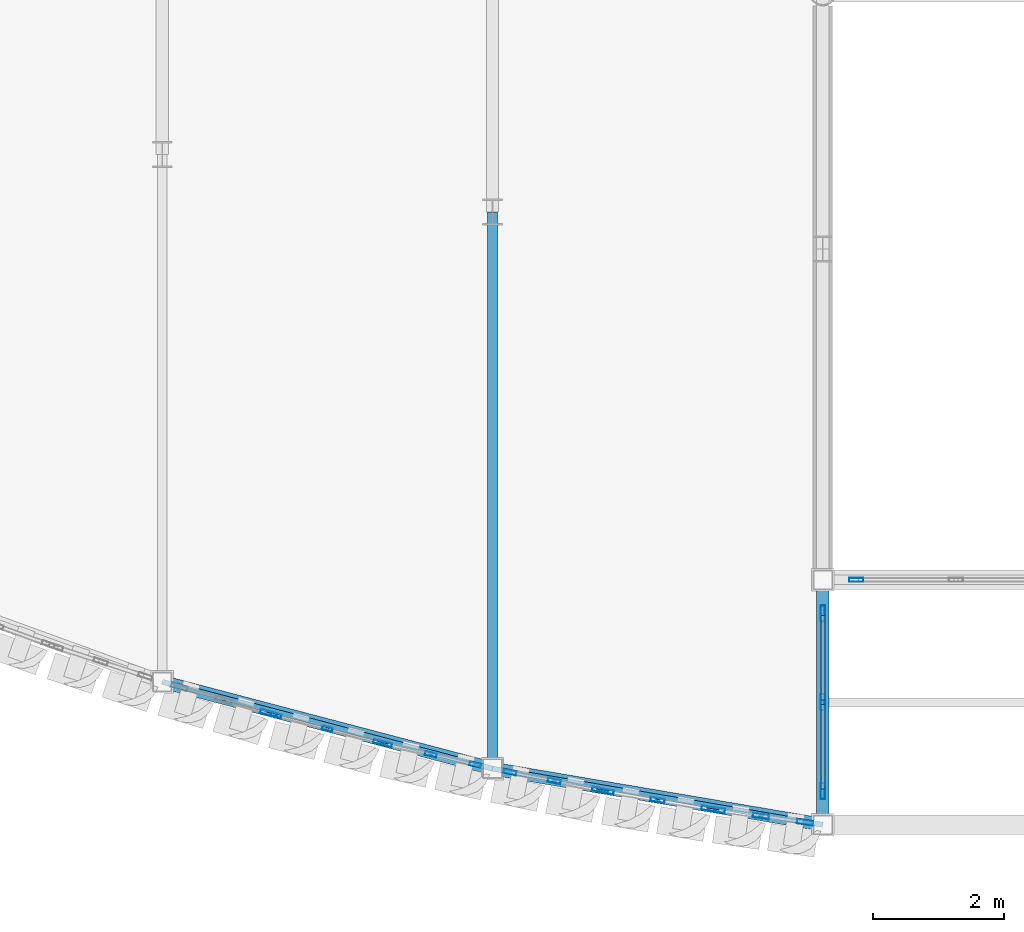
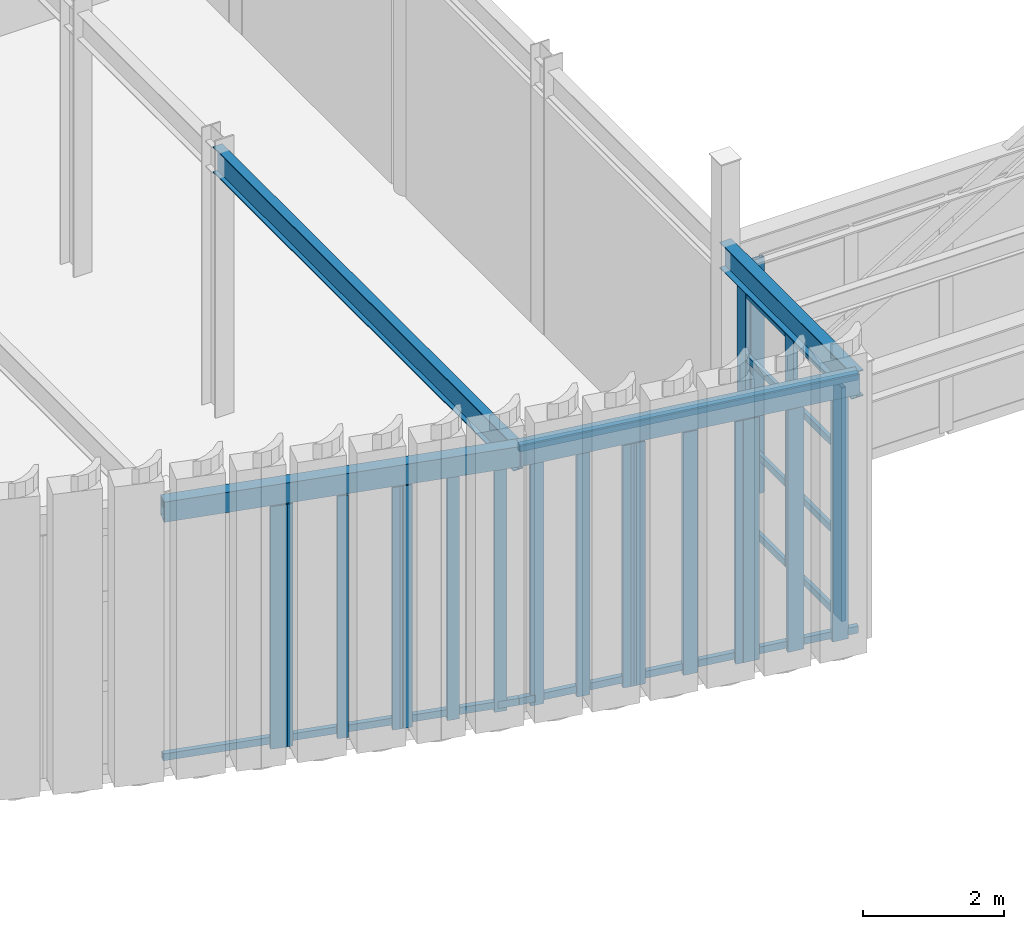
# One storey, part 41 of 126: 32 members, 4 beams, 8 elements without a shape of their own.
"""IFC4 building model written with IfcOpenShell, lengths in metres."""

from ifc_helpers import new_model, si_unit, direction, frame, origin, origin_2d, place, context, subcontext, project, spatial, hollow_rectangle, i_section, extrude, material, layer, layer_set, material_profile, profile_set, type_object, element, aggregate, save


model = new_model("IFC4")

# Units and contexts
model_context = context("Model", 3, precision=1e-05, world=origin(), true_north=direction((0.0, 1.0)))
body_context = subcontext(model_context, "Body", "Model", "MODEL_VIEW")
ifc_project = project(units=[si_unit("LENGTHUNIT", "METRE"), si_unit("AREAUNIT", "SQUARE_METRE"), si_unit("VOLUMEUNIT", "CUBIC_METRE"), si_unit("PLANEANGLEUNIT", "RADIAN"), si_unit("MASSUNIT", "GRAM", prefix="KILO")], contexts=[model_context])

# Site, building, storey
site_placement = place(None, origin())
site = spatial("IfcSite", under=ifc_project, at=site_placement, CompositionType="ELEMENT")
building_placement = place(site_placement, origin())
building = spatial("IfcBuilding", under=site, at=building_placement, Name="Solvadek Multi-Sports Hall", CompositionType="ELEMENT")
storey_placement = place(building_placement, frame((0.0, 0.0, 9.60009765625)))
storey = spatial("IfcBuildingStorey", under=building, at=storey_placement, Name="L02", CompositionType="ELEMENT", Elevation=9.60009765625)

# Curtain wall, members
ifc_material_1 = material(Name="Anodised aluminium", Category="aluminium")
ifc_layer_1 = layer(ifc_material_1, 0.159912109375, Name="Anodised aluminium")
ifc_layer_set_1 = layer_set([ifc_layer_1], Name="Anodised aluminium")
curtain_wall_type_1 = type_object("IfcCurtainWallType", Name="ENV-CW-168X420", PredefinedType="USERDEFINED", material=ifc_layer_set_1)
curtain_wall_1_placement = place(storey_placement, origin())
curtain_wall_1 = element("IfcCurtainWall", 1, at=curtain_wall_1_placement, inside=storey, type_object=curtain_wall_type_1, Name="L02 Crescent Curved Curtain Wall #46", ObjectType="CURTAIN WALL", PredefinedType="USERDEFINED")
ifc_material_profile_1 = material_profile(ifc_material_1, hollow_rectangle(XDim=0.06005859375, YDim=0.159912109375, WallThickness=0.00390625, at=origin_2d()), Name="ALU-M 160x60x4")
ifc_profile_set_1 = profile_set([ifc_material_profile_1], Name="Anodised aluminium")
member_type_1 = type_object("IfcMemberType", Name="ENV-CWM-01", PredefinedType="MULLION", material=ifc_profile_set_1)
member_1_placement = place(storey_placement, frame((63.623779296875, -11.075927734375, 0.0), z_axis=(0.0, 0.0, 1.0), x_axis=(0.254142545895, 0.967166772778, 0.0)))
member_1 = element("IfcMember", 2, at=member_1_placement, type_object=member_type_1, Name="CW-22 mullion 1", PredefinedType="MULLION", context=body_context, shape_type="SweptSolid", body=[
    extrude(hollow_rectangle(XDim=0.06005859375, YDim=0.159912109375, WallThickness=0.00390625, at=origin_2d()), origin(), (0.0, 0.0, 1.0), 4.199951171875),
])
member_2_placement = place(storey_placement, frame((64.4091796875, -11.282470703125, 0.0), z_axis=(0.0, 0.0, 1.0), x_axis=(0.254142545895, 0.967166772778, 0.0)))
member_2 = element("IfcMember", 3, at=member_2_placement, type_object=member_type_1, Name="CW-22 mullion 2", PredefinedType="MULLION", context=body_context, shape_type="SweptSolid", body=[
    extrude(hollow_rectangle(XDim=0.06005859375, YDim=0.159912109375, WallThickness=0.00390625, at=origin_2d()), origin(), (0.0, 0.0, 1.0), 4.199951171875),
])
member_3_placement = place(storey_placement, frame((65.194580078125, -11.48876953125, 0.0), z_axis=(0.0, 0.0, 1.0), x_axis=(0.254142545895, 0.967166772778, 0.0)))
member_3 = element("IfcMember", 4, at=member_3_placement, type_object=member_type_1, Name="CW-22 mullion 3", PredefinedType="MULLION", context=body_context, shape_type="SweptSolid", body=[
    extrude(hollow_rectangle(XDim=0.06005859375, YDim=0.159912109375, WallThickness=0.00390625, at=origin_2d()), origin(), (0.0, 0.0, 1.0), 4.199951171875),
])
aggregate(curtain_wall_1, [member_1, member_2, member_3])

ifc_layer_2 = layer(ifc_material_1, 0.159912109375, Name="Anodised aluminium")
ifc_layer_set_2 = layer_set([ifc_layer_2], Name="Anodised aluminium")
curtain_wall_type_2 = type_object("IfcCurtainWallType", Name="ENV-CW-146X420", PredefinedType="USERDEFINED", material=ifc_layer_set_2)
curtain_wall_2_placement = place(storey_placement, origin())
curtain_wall_2 = element("IfcCurtainWall", 5, at=curtain_wall_2_placement, inside=storey, type_object=curtain_wall_type_2, Name="L02 Crescent Curved Curtain Wall #48", ObjectType="CURTAIN WALL", PredefinedType="USERDEFINED")
ifc_material_profile_2 = material_profile(ifc_material_1, hollow_rectangle(XDim=0.06005859375, YDim=0.179931640625, WallThickness=0.00390625, at=origin_2d()), Name="ALU-M 180x60x4")
ifc_profile_set_2 = profile_set([ifc_material_profile_2], Name="Anodised aluminium")
member_type_2 = type_object("IfcMemberType", Name="ENV-CWM-02", PredefinedType="MULLION", material=ifc_profile_set_2)
member_4_placement = place(storey_placement, frame((65.31103515625, -11.517578125, 0.0), z_axis=(0.0, 0.0, 1.0), x_axis=(0.225189321569, 0.974315025775, 0.0)))
member_4 = element("IfcMember", 6, at=member_4_placement, type_object=member_type_2, Name="CW-23 mullion 1", PredefinedType="MULLION", context=body_context, shape_type="SweptSolid", body=[
    extrude(hollow_rectangle(XDim=0.06005859375, YDim=0.179931640625, WallThickness=0.00390625, at=origin_2d()), origin(), (0.0, 0.0, 1.0), 4.199951171875),
])
member_5_placement = place(storey_placement, frame((65.99365234375, -11.67529296875, 0.0), z_axis=(0.0, 0.0, 1.0), x_axis=(0.225189321569, 0.974315025775, 0.0)))
member_5 = element("IfcMember", 7, at=member_5_placement, type_object=member_type_2, Name="CW-23 mullion 2", PredefinedType="MULLION", context=body_context, shape_type="SweptSolid", body=[
    extrude(hollow_rectangle(XDim=0.06005859375, YDim=0.179931640625, WallThickness=0.00390625, at=origin_2d()), origin(), (0.0, 0.0, 1.0), 4.199951171875),
])
member_6_placement = place(storey_placement, frame((66.67626953125, -11.833251953125, 0.0), z_axis=(0.0, 0.0, 1.0), x_axis=(0.225189321569, 0.974315025775, 0.0)))
member_6 = element("IfcMember", 8, at=member_6_placement, type_object=member_type_2, Name="CW-23 mullion 3", PredefinedType="MULLION", context=body_context, shape_type="SweptSolid", body=[
    extrude(hollow_rectangle(XDim=0.06005859375, YDim=0.179931640625, WallThickness=0.00390625, at=origin_2d()), origin(), (0.0, 0.0, 1.0), 4.199951171875),
])
aggregate(curtain_wall_2, [member_4, member_5, member_6])

ifc_layer_3 = layer(ifc_material_1, 0.159912109375, Name="Anodised aluminium")
ifc_layer_set_3 = layer_set([ifc_layer_3], Name="Anodised aluminium")
curtain_wall_type_3 = type_object("IfcCurtainWallType", Name="ENV-CW-145X420", PredefinedType="USERDEFINED", material=ifc_layer_set_3)
curtain_wall_3_placement = place(storey_placement, origin())
curtain_wall_3 = element("IfcCurtainWall", 9, at=curtain_wall_3_placement, inside=storey, type_object=curtain_wall_type_3, Name="L02 Crescent Curved Curtain Wall #50", ObjectType="CURTAIN WALL", PredefinedType="USERDEFINED")
ifc_material_profile_3 = material_profile(ifc_material_1, hollow_rectangle(XDim=0.06494140625, YDim=0.199951171875, WallThickness=0.0048828125, at=origin_2d()), Name="ALU-M 200x65x5")
ifc_profile_set_3 = profile_set([ifc_material_profile_3], Name="Anodised aluminium")
member_type_3 = type_object("IfcMemberType", Name="ENV-CWM-03", PredefinedType="MULLION", material=ifc_profile_set_3)
member_7_placement = place(storey_placement, frame((67.20654296875, -11.947265625, 0.0), z_axis=(0.0, 0.0, 1.0), x_axis=(0.196155912432, 0.980572719393, 0.0)))
member_7 = element("IfcMember", 10, at=member_7_placement, type_object=member_type_3, Name="CW-24 mullion 1", PredefinedType="MULLION", context=body_context, shape_type="SweptSolid", body=[
    extrude(hollow_rectangle(XDim=0.06494140625, YDim=0.199951171875, WallThickness=0.0048828125, at=origin_2d()), origin(), (0.0, 0.0, 1.0), 4.199951171875),
])
member_8_placement = place(storey_placement, frame((67.8857421875, -12.083251953125, 0.0), z_axis=(0.0, 0.0, 1.0), x_axis=(0.196155912432, 0.980572719393, 0.0)))
member_8 = element("IfcMember", 11, at=member_8_placement, type_object=member_type_3, Name="CW-24 mullion 2", PredefinedType="MULLION", context=body_context, shape_type="SweptSolid", body=[
    extrude(hollow_rectangle(XDim=0.06494140625, YDim=0.199951171875, WallThickness=0.0048828125, at=origin_2d()), origin(), (0.0, 0.0, 1.0), 4.199951171875),
])
member_9_placement = place(storey_placement, frame((68.56494140625, -12.21923828125, 0.0), z_axis=(0.0, 0.0, 1.0), x_axis=(0.196155912432, 0.980572719393, 0.0)))
member_9 = element("IfcMember", 12, at=member_9_placement, type_object=member_type_3, Name="CW-24 mullion 3", PredefinedType="MULLION", context=body_context, shape_type="SweptSolid", body=[
    extrude(hollow_rectangle(XDim=0.06494140625, YDim=0.199951171875, WallThickness=0.0048828125, at=origin_2d()), origin(), (0.0, 0.0, 1.0), 4.199951171875),
])
aggregate(curtain_wall_3, [member_7, member_8, member_9])

ifc_layer_4 = layer(ifc_material_1, 0.159912109375, Name="Anodised aluminium")
ifc_layer_set_4 = layer_set([ifc_layer_4], Name="Anodised aluminium")
curtain_wall_type_4 = type_object("IfcCurtainWallType", Name="ENV-CW-165X420", PredefinedType="USERDEFINED", material=ifc_layer_set_4)
curtain_wall_4_placement = place(storey_placement, origin())
curtain_wall_4 = element("IfcCurtainWall", 13, at=curtain_wall_4_placement, inside=storey, type_object=curtain_wall_type_4, Name="L02 Crescent Curved Curtain Wall #52", ObjectType="CURTAIN WALL", PredefinedType="USERDEFINED")
ifc_material_profile_4 = material_profile(ifc_material_1, hollow_rectangle(XDim=0.06494140625, YDim=0.219970703125, WallThickness=0.0048828125, at=origin_2d()), Name="ALU-M 220x65x5")
ifc_profile_set_4 = profile_set([ifc_material_profile_4], Name="Anodised aluminium")
member_type_4 = type_object("IfcMemberType", Name="ENV-CWM-04", PredefinedType="MULLION", material=ifc_profile_set_4)
member_10_placement = place(storey_placement, frame((68.68798828125, -12.241943359375, 0.0), z_axis=(0.0, 0.0, 1.0), x_axis=(0.167246953314, 0.985915035187, 0.0)))
member_10 = element("IfcMember", 14, at=member_10_placement, type_object=member_type_4, Name="CW-25 mullion 1", PredefinedType="MULLION", context=body_context, shape_type="SweptSolid", body=[
    extrude(hollow_rectangle(XDim=0.06494140625, YDim=0.219970703125, WallThickness=0.0048828125, at=origin_2d()), origin(), (0.0, 0.0, 1.0), 4.199951171875),
])
member_11_placement = place(storey_placement, frame((69.4697265625, -12.37451171875, 0.0), z_axis=(0.0, 0.0, 1.0), x_axis=(0.167246953314, 0.985915035187, 0.0)))
member_11 = element("IfcMember", 15, at=member_11_placement, type_object=member_type_4, Name="CW-25 mullion 2", PredefinedType="MULLION", context=body_context, shape_type="SweptSolid", body=[
    extrude(hollow_rectangle(XDim=0.06494140625, YDim=0.219970703125, WallThickness=0.0048828125, at=origin_2d()), origin(), (0.0, 0.0, 1.0), 4.199951171875),
])
member_12_placement = place(storey_placement, frame((70.25146484375, -12.507080078125, 0.0), z_axis=(0.0, 0.0, 1.0), x_axis=(0.167246953314, 0.985915035187, 0.0)))
member_12 = element("IfcMember", 16, at=member_12_placement, type_object=member_type_4, Name="CW-25 mullion 3", PredefinedType="MULLION", context=body_context, shape_type="SweptSolid", body=[
    extrude(hollow_rectangle(XDim=0.06494140625, YDim=0.219970703125, WallThickness=0.0048828125, at=origin_2d()), origin(), (0.0, 0.0, 1.0), 4.199951171875),
])
aggregate(curtain_wall_4, [member_10, member_11, member_12])

# Curtain wall, member
ifc_layer_5 = layer(ifc_material_1, 0.159912109375, Name="Anodised aluminium")
ifc_layer_set_5 = layer_set([ifc_layer_5], Name="Anodised aluminium")
curtain_wall_type_5 = type_object("IfcCurtainWallType", Name="ENV-CW-624X408", PredefinedType="USERDEFINED", material=ifc_layer_set_5)
curtain_wall_5_placement = place(storey_placement, origin())
curtain_wall_5 = element("IfcCurtainWall", 17, at=curtain_wall_5_placement, inside=storey, type_object=curtain_wall_type_5, Name="L02 Perimeter Bay Curtain Wall #117", ObjectType="CURTAIN WALL", PredefinedType="USERDEFINED")
member_13_placement = place(storey_placement, frame((72.512451171875, -9.0, 0.0), z_axis=(0.0, 0.0, 1.0), x_axis=(0.0, 1.0, 0.0)))
member_13 = element("IfcMember", 18, at=member_13_placement, type_object=member_type_4, Name="CW-40 mullion 1", PredefinedType="MULLION", context=body_context, shape_type="SweptSolid", body=[
    extrude(hollow_rectangle(XDim=0.06494140625, YDim=0.219970703125, WallThickness=0.0048828125, at=origin_2d()), origin(), (0.0, 0.0, 1.0), 4.074951171875),
])
aggregate(curtain_wall_5, [member_13])

ifc_layer_6 = layer(ifc_material_1, 0.159912109375, Name="Anodised aluminium")
ifc_layer_set_6 = layer_set([ifc_layer_6], Name="Anodised aluminium")
curtain_wall_type_6 = type_object("IfcCurtainWallType", Name="ENV-CW-149X420", PredefinedType="USERDEFINED", material=ifc_layer_set_6)
curtain_wall_6_placement = place(storey_placement, origin())
curtain_wall_6 = element("IfcCurtainWall", 19, at=curtain_wall_6_placement, inside=storey, type_object=curtain_wall_type_6, Name="L02 Crescent Curved Curtain Wall #44", ObjectType="CURTAIN WALL", PredefinedType="USERDEFINED")
ifc_material_profile_5 = material_profile(ifc_material_1, hollow_rectangle(XDim=0.070068359375, YDim=0.25, WallThickness=0.0048828125, at=origin_2d()), Name="ALU-M 250x70x5")
ifc_profile_set_5 = profile_set([ifc_material_profile_5], Name="Anodised aluminium")
member_type_5 = type_object("IfcMemberType", Name="ENV-CWM-05", PredefinedType="MULLION", material=ifc_profile_set_5)
member_14_placement = place(storey_placement, frame((63.50341796875, -11.04248046875, 0.0), z_axis=(0.0, 0.0, 1.0), x_axis=(0.283173450223, 0.959068713434, 0.0)))
member_14 = element("IfcMember", 20, at=member_14_placement, type_object=member_type_5, Name="CW-21 mullion 3", PredefinedType="MULLION", context=body_context, shape_type="SweptSolid", body=[
    extrude(hollow_rectangle(XDim=0.070068359375, YDim=0.25, WallThickness=0.0048828125, at=origin_2d()), origin(), (0.0, 0.0, 1.0), 4.199951171875),
])
aggregate(curtain_wall_6, [member_14])

# Curtain wall, members
ifc_layer_7 = layer(ifc_material_1, 0.159912109375, Name="Anodised aluminium")
ifc_layer_set_7 = layer_set([ifc_layer_7], Name="Anodised aluminium")
curtain_wall_type_7 = type_object("IfcCurtainWallType", Name="ENV-CW-143X420", PredefinedType="USERDEFINED", material=ifc_layer_set_7)
curtain_wall_7_placement = place(storey_placement, origin())
curtain_wall_7 = element("IfcCurtainWall", 21, at=curtain_wall_7_placement, inside=storey, type_object=curtain_wall_type_7, Name="L02 Crescent Curved Curtain Wall #54", ObjectType="CURTAIN WALL", PredefinedType="USERDEFINED")
member_15_placement = place(storey_placement, frame((70.37744140625, -12.5263671875, 0.0), z_axis=(0.0, 0.0, 1.0), x_axis=(0.138216722642, 0.990402008066, 0.0)))
member_15 = element("IfcMember", 22, at=member_15_placement, type_object=member_type_5, Name="CW-26 mullion 1", PredefinedType="MULLION", context=body_context, shape_type="SweptSolid", body=[
    extrude(hollow_rectangle(XDim=0.070068359375, YDim=0.25, WallThickness=0.0048828125, at=origin_2d()), origin(), (0.0, 0.0, 1.0), 4.199951171875),
])
member_16_placement = place(storey_placement, frame((71.052490234375, -12.62060546875, 0.0), z_axis=(0.0, 0.0, 1.0), x_axis=(0.138216722642, 0.990402008066, 0.0)))
member_16 = element("IfcMember", 23, at=member_16_placement, type_object=member_type_5, Name="CW-26 mullion 2", PredefinedType="MULLION", context=body_context, shape_type="SweptSolid", body=[
    extrude(hollow_rectangle(XDim=0.070068359375, YDim=0.25, WallThickness=0.0048828125, at=origin_2d()), origin(), (0.0, 0.0, 1.0), 4.199951171875),
])
member_17_placement = place(storey_placement, frame((71.7275390625, -12.71484375, 0.0), z_axis=(0.0, 0.0, 1.0), x_axis=(0.138216722642, 0.990402008066, 0.0)))
member_17 = element("IfcMember", 24, at=member_17_placement, type_object=member_type_5, Name="CW-26 mullion 3", PredefinedType="MULLION", context=body_context, shape_type="SweptSolid", body=[
    extrude(hollow_rectangle(XDim=0.070068359375, YDim=0.25, WallThickness=0.0048828125, at=origin_2d()), origin(), (0.0, 0.0, 1.0), 4.199951171875),
])
aggregate(curtain_wall_7, [member_15, member_16, member_17])

ifc_layer_8 = layer(ifc_material_1, 0.159912109375, Name="Anodised aluminium")
ifc_layer_set_8 = layer_set([ifc_layer_8], Name="Anodised aluminium")
curtain_wall_type_8 = type_object("IfcCurtainWallType", Name="ENV-CW-279X405", PredefinedType="USERDEFINED", material=ifc_layer_set_8)
curtain_wall_8_placement = place(storey_placement, origin())
curtain_wall_8 = element("IfcCurtainWall", 25, at=curtain_wall_8_placement, inside=storey, type_object=curtain_wall_type_8, Name="L02 Perimeter Bay Curtain Wall #121", ObjectType="CURTAIN WALL", PredefinedType="USERDEFINED")
member_18_placement = place(storey_placement, frame((72.0, -12.23779296875, 0.0), z_axis=(0.0, 0.0, 1.0), x_axis=(-1.0, 0.0, 0.0)))
member_18 = element("IfcMember", 26, at=member_18_placement, type_object=member_type_5, Name="CW-42 mullion 1", PredefinedType="MULLION", context=body_context, shape_type="SweptSolid", body=[
    extrude(hollow_rectangle(XDim=0.070068359375, YDim=0.25, WallThickness=0.0048828125, at=origin_2d()), origin(), (0.0, 0.0, 1.0), 4.0498046875),
])
member_19_placement = place(storey_placement, frame((72.0, -10.87646484375, 0.0), z_axis=(0.0, 0.0, 1.0), x_axis=(-1.0, 0.0, 0.0)))
member_19 = element("IfcMember", 27, at=member_19_placement, type_object=member_type_5, Name="CW-42 mullion 2", PredefinedType="MULLION", context=body_context, shape_type="SweptSolid", body=[
    extrude(hollow_rectangle(XDim=0.070068359375, YDim=0.25, WallThickness=0.0048828125, at=origin_2d()), origin(), (0.0, 0.0, 1.0), 4.0498046875),
])
member_20_placement = place(storey_placement, frame((72.0, -9.514892578125, 0.0), z_axis=(0.0, 0.0, 1.0), x_axis=(-1.0, 0.0, 0.0)))
member_20 = element("IfcMember", 28, at=member_20_placement, type_object=member_type_5, Name="CW-42 mullion 3", PredefinedType="MULLION", context=body_context, shape_type="SweptSolid", body=[
    extrude(hollow_rectangle(XDim=0.070068359375, YDim=0.25, WallThickness=0.0048828125, at=origin_2d()), origin(), (0.0, 0.0, 1.0), 4.0498046875),
])
ifc_material_profile_6 = material_profile(ifc_material_1, hollow_rectangle(XDim=0.06005859375, YDim=0.1201171875, WallThickness=0.00390625, at=origin_2d()), Name="ALU-T 120x60x4")
ifc_profile_set_6 = profile_set([ifc_material_profile_6], Name="Anodised aluminium")
member_type_6 = type_object("IfcMemberType", Name="ENV-CWT-01", PredefinedType="USERDEFINED", material=ifc_profile_set_6)
member_21_placement = place(storey_placement, frame((72.0, -12.202880859375, 0.02978515625), z_axis=(0.0, 1.0, 0.0), x_axis=(-1.0, 0.0, 0.0)))
member_21 = element("IfcMember", 29, at=member_21_placement, type_object=member_type_6, Name="CW-42 transom 1.1", ObjectType="TRANSOM", PredefinedType="USERDEFINED", context=body_context, shape_type="SweptSolid", body=[
    extrude(hollow_rectangle(XDim=0.06005859375, YDim=0.1201171875, WallThickness=0.00390625, at=origin_2d()), origin(), (0.0, 0.0, 1.0), 1.29150390625),
])
member_22_placement = place(storey_placement, frame((72.0, -12.202880859375, 1.41796875), z_axis=(0.0, 1.0, 0.0), x_axis=(-1.0, 0.0, 0.0)))
member_22 = element("IfcMember", 30, at=member_22_placement, type_object=member_type_6, Name="CW-42 transom 1.2", ObjectType="TRANSOM", PredefinedType="USERDEFINED", context=body_context, shape_type="SweptSolid", body=[
    extrude(hollow_rectangle(XDim=0.06005859375, YDim=0.1201171875, WallThickness=0.00390625, at=origin_2d()), origin(), (0.0, 0.0, 1.0), 1.29150390625),
])
member_23_placement = place(storey_placement, frame((72.0, -12.202880859375, 2.916015625), z_axis=(0.0, 1.0, 0.0), x_axis=(-1.0, 0.0, 0.0)))
member_23 = element("IfcMember", 31, at=member_23_placement, type_object=member_type_6, Name="CW-42 transom 1.3", ObjectType="TRANSOM", PredefinedType="USERDEFINED", context=body_context, shape_type="SweptSolid", body=[
    extrude(hollow_rectangle(XDim=0.06005859375, YDim=0.1201171875, WallThickness=0.00390625, at=origin_2d()), origin(), (0.0, 0.0, 1.0), 1.29150390625),
])
member_24_placement = place(storey_placement, frame((72.0, -12.202880859375, 4.02001953125), z_axis=(0.0, 1.0, 0.0), x_axis=(-1.0, 0.0, 0.0)))
member_24 = element("IfcMember", 32, at=member_24_placement, type_object=member_type_6, Name="CW-42 transom 1.4", ObjectType="TRANSOM", PredefinedType="USERDEFINED", context=body_context, shape_type="SweptSolid", body=[
    extrude(hollow_rectangle(XDim=0.06005859375, YDim=0.1201171875, WallThickness=0.00390625, at=origin_2d()), origin(), (0.0, 0.0, 1.0), 1.29150390625),
])
member_25_placement = place(storey_placement, frame((72.0, -10.841552734375, 0.02978515625), z_axis=(0.0, 1.0, 0.0), x_axis=(-1.0, 0.0, 0.0)))
member_25 = element("IfcMember", 33, at=member_25_placement, type_object=member_type_6, Name="CW-42 transom 2.1", ObjectType="TRANSOM", PredefinedType="USERDEFINED", context=body_context, shape_type="SweptSolid", body=[
    extrude(hollow_rectangle(XDim=0.06005859375, YDim=0.1201171875, WallThickness=0.00390625, at=origin_2d()), origin(), (0.0, 0.0, 1.0), 1.29150390625),
])
member_26_placement = place(storey_placement, frame((72.0, -10.841552734375, 1.41796875), z_axis=(0.0, 1.0, 0.0), x_axis=(-1.0, 0.0, 0.0)))
member_26 = element("IfcMember", 34, at=member_26_placement, type_object=member_type_6, Name="CW-42 transom 2.2", ObjectType="TRANSOM", PredefinedType="USERDEFINED", context=body_context, shape_type="SweptSolid", body=[
    extrude(hollow_rectangle(XDim=0.06005859375, YDim=0.1201171875, WallThickness=0.00390625, at=origin_2d()), origin(), (0.0, 0.0, 1.0), 1.29150390625),
])
member_27_placement = place(storey_placement, frame((72.0, -10.841552734375, 2.916015625), z_axis=(0.0, 1.0, 0.0), x_axis=(-1.0, 0.0, 0.0)))
member_27 = element("IfcMember", 35, at=member_27_placement, type_object=member_type_6, Name="CW-42 transom 2.3", ObjectType="TRANSOM", PredefinedType="USERDEFINED", context=body_context, shape_type="SweptSolid", body=[
    extrude(hollow_rectangle(XDim=0.06005859375, YDim=0.1201171875, WallThickness=0.00390625, at=origin_2d()), origin(), (0.0, 0.0, 1.0), 1.29150390625),
])
member_28_placement = place(storey_placement, frame((72.0, -10.841552734375, 4.02001953125), z_axis=(0.0, 1.0, 0.0), x_axis=(-1.0, 0.0, 0.0)))
member_28 = element("IfcMember", 36, at=member_28_placement, type_object=member_type_6, Name="CW-42 transom 2.4", ObjectType="TRANSOM", PredefinedType="USERDEFINED", context=body_context, shape_type="SweptSolid", body=[
    extrude(hollow_rectangle(XDim=0.06005859375, YDim=0.1201171875, WallThickness=0.00390625, at=origin_2d()), origin(), (0.0, 0.0, 1.0), 1.29150390625),
])
aggregate(curtain_wall_8, [member_18, member_19, member_20, member_21, member_22, member_23, member_24, member_25, member_26, member_27, member_28])

# Beams
ifc_material_2 = material(Name="Steel E350 (350 MPa)", Category="steel")
ifc_material_profile_7 = material_profile(ifc_material_2, i_section(OverallWidth=0.14990234375, OverallDepth=0.449951171875, WebThickness=0.009521484375, FlangeThickness=0.017333984375, at=origin_2d()), Name="ISMB 450")
ifc_profile_set_7 = profile_set([ifc_material_profile_7], Name="Steel E350 (350 MPa)")
beam_type_1 = type_object("IfcBeamType", Name="STR-BM-ISMB450", PredefinedType="BEAM", material=ifc_profile_set_7)
beam_1_placement = place(storey_placement, frame((66.939453125, -11.893798828125, 4.3349609375), z_axis=(0.0, 1.0, 0.0), x_axis=(-1.0, 0.0, 0.0)))
element("IfcBeam", 37, at=beam_1_placement, inside=storey, type_object=beam_type_1, Name="L02 Girder B-09 #1551", PredefinedType="BEAM", context=body_context, shape_type="SweptSolid", body=[
    extrude(i_section(OverallWidth=0.14990234375, OverallDepth=0.449951171875, WebThickness=0.009521484375, FlangeThickness=0.017333984375, at=origin_2d()), origin(), (0.0, 0.0, 1.0), 8.53173828125),
])
ifc_material_profile_8 = material_profile(ifc_material_2, i_section(OverallWidth=0.18994140625, OverallDepth=0.449951171875, WebThickness=0.009521484375, FlangeThickness=0.0146484375, at=origin_2d()), Name="NPB 450")
ifc_profile_set_8 = profile_set([ifc_material_profile_8], Name="Steel E350 (350 MPa)")
beam_type_2 = type_object("IfcBeamType", Name="STR-BM-NPB450", PredefinedType="BEAM", material=ifc_profile_set_8)
beam_2_placement = place(storey_placement, frame((72.0, -12.7529296875, 4.3349609375), z_axis=(0.0, 1.0, 0.0), x_axis=(-1.0, 0.0, 0.0)))
element("IfcBeam", 38, at=beam_2_placement, inside=storey, type_object=beam_type_2, Name="L02 Girder B-08 #1554", PredefinedType="BEAM", context=body_context, shape_type="SweptSolid", body=[
    extrude(i_section(OverallWidth=0.18994140625, OverallDepth=0.449951171875, WebThickness=0.009521484375, FlangeThickness=0.0146484375, at=origin_2d()), origin(), (0.0, 0.0, 1.0), 3.7529296875),
])
ifc_material_profile_9 = material_profile(ifc_material_2, hollow_rectangle(XDim=0.199951171875, YDim=0.35009765625, WallThickness=0.011962890625, at=origin_2d()), Name="RHS 350x200x12")
ifc_profile_set_9 = profile_set([ifc_material_profile_9], Name="Steel E350 (350 MPa)")
beam_type_3 = type_object("IfcBeamType", Name="STR-SPN-RHS350", PredefinedType="SPANDREL", material=ifc_profile_set_9)
beam_3_placement = place(storey_placement, frame((61.87890625, -10.562744140625, 4.40478515625), z_axis=(0.967105956873, -0.254373874801, 0.0), x_axis=(0.254373874801, 0.967105956873, 0.0)))
element("IfcBeam", 39, at=beam_3_placement, inside=storey, type_object=beam_type_3, Name="L02 Curved Crescent Spandrel #65", PredefinedType="SPANDREL", context=body_context, shape_type="SweptSolid", body=[
    extrude(hollow_rectangle(XDim=0.199951171875, YDim=0.35009765625, WallThickness=0.011962890625, at=origin_2d()), origin(), (0.0, 0.0, 1.0), 5.232666015625),
])
beam_4_placement = place(storey_placement, frame((66.939453125, -11.893798828125, 4.40478515625), z_axis=(0.985893229312, -0.167375447412, 0.0), x_axis=(0.167375447412, 0.985893229312, 0.0)))
element("IfcBeam", 40, at=beam_4_placement, inside=storey, type_object=beam_type_3, Name="L02 Curved Crescent Spandrel #66", PredefinedType="SPANDREL", context=body_context, shape_type="SweptSolid", body=[
    extrude(hollow_rectangle(XDim=0.199951171875, YDim=0.35009765625, WallThickness=0.011962890625, at=origin_2d()), origin(), (0.0, 0.0, 1.0), 5.133056640625),
])

# Members
ifc_material_3 = material(Name="Steel E250 (250 MPa)", Category="steel")
ifc_material_profile_10 = material_profile(ifc_material_3, hollow_rectangle(XDim=0.080078125, YDim=0.1201171875, WallThickness=0.006103515625, at=origin_2d()), Name="RHS 120x80x6")
ifc_profile_set_10 = profile_set([ifc_material_profile_10], Name="Steel E250 (250 MPa)")
member_type_7 = type_object("IfcMemberType", Name="STR-STD-RHS120", PredefinedType="STUD", material=ifc_profile_set_10)
for number, where, z_axis, x_axis, name in (
    (41, (61.87890625, -10.562744140625, 0.119873046875), (0.967105956873, -0.254373874801, 0.0), (0.254373874801, 0.967105956873, 0.0), "L02 Flute Subframe Rail W-8 bot"),
    (42, (61.87890625, -10.562744140625, 4.5), (0.967105956873, -0.254373874801, 0.0), (0.254373874801, 0.967105956873, 0.0), "L02 Flute Subframe Rail W-8 top"),
):
    element("IfcMember", number, at=place(storey_placement, frame(where, z_axis=z_axis, x_axis=x_axis)), inside=storey, type_object=member_type_7, Name=name, PredefinedType="STUD", context=body_context, shape_type="SweptSolid", body=[
        extrude(hollow_rectangle(XDim=0.080078125, YDim=0.1201171875, WallThickness=0.006103515625, at=origin_2d()), origin(), (0.0, 0.0, 1.0), 5.232666015625),
    ])
for number, where, z_axis, x_axis, name in (
    (43, (66.939453125, -11.893798828125, 0.119873046875), (0.985893229312, -0.167375447412, 0.0), (0.167375447412, 0.985893229312, 0.0), "L02 Flute Subframe Rail W-9 bot"),
    (44, (66.939453125, -11.893798828125, 4.5), (0.985893229312, -0.167375447412, 0.0), (0.167375447412, 0.985893229312, 0.0), "L02 Flute Subframe Rail W-9 top"),
):
    element("IfcMember", number, at=place(storey_placement, frame(where, z_axis=z_axis, x_axis=x_axis)), inside=storey, type_object=member_type_7, Name=name, PredefinedType="STUD", context=body_context, shape_type="SweptSolid", body=[
        extrude(hollow_rectangle(XDim=0.080078125, YDim=0.1201171875, WallThickness=0.006103515625, at=origin_2d()), origin(), (0.0, 0.0, 1.0), 5.133056640625),
    ])

save(model, "model.ifc")
